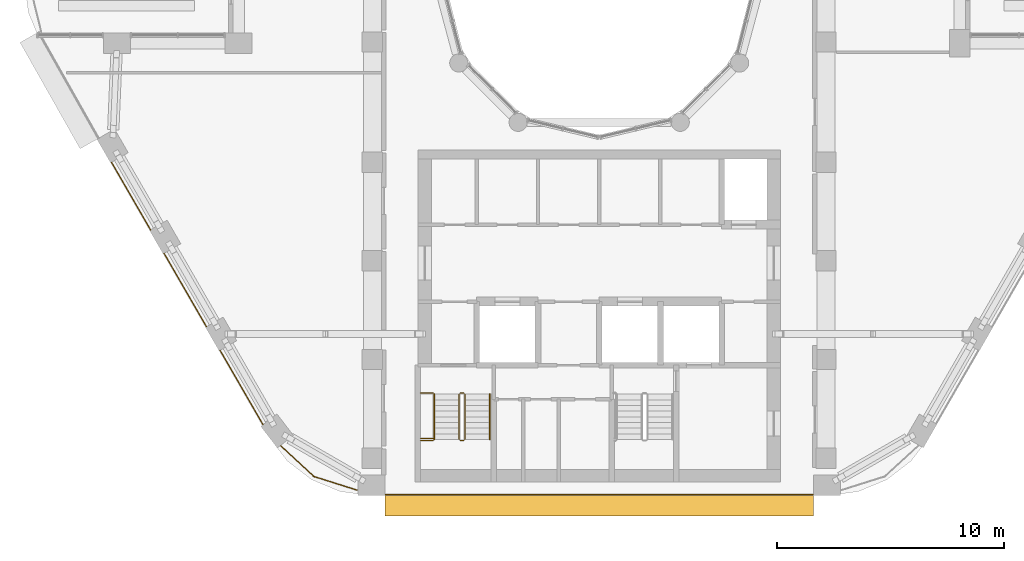
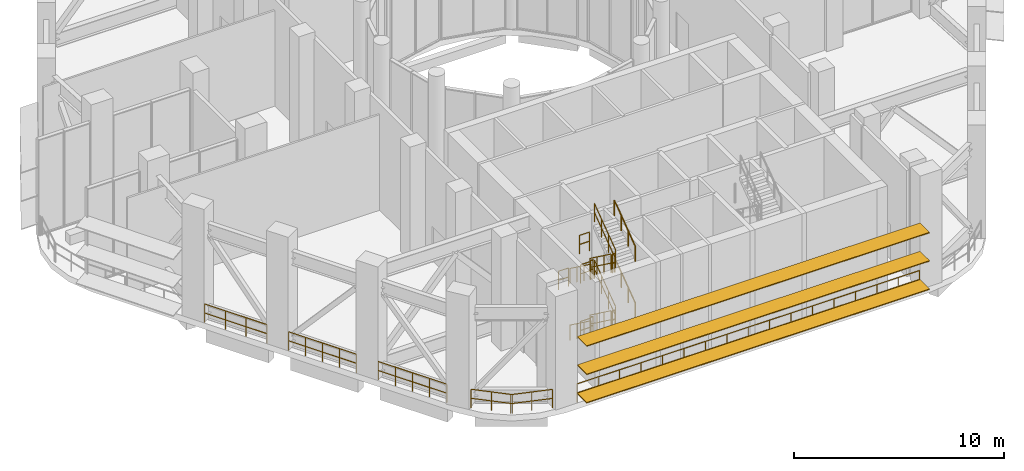
# One storey, part 15 of 19: 22 railings, 3 shading devices.
"""IFC4 building model written with IfcOpenShell, lengths in metres."""

import ifcopenshell
import ifcopenshell.guid

model = None  # the IFC model being written
_history = None  # IfcOwnerHistory: only IFC2X3 demands one
_inside = {}  # id of a spatial element -> (the spatial element, [elements in it])
_under = {}  # id of a project, library or spatial element -> (it, [spatial elements below it])
_declared = {}  # id of a project -> (the project, [libraries it declares])
_typed = {}  # id of a type object -> (the type object, [elements of that type])
_made_of = {}  # id of a material, layer set ... -> (it, [elements and type objects made of it])


def new_model(schema):
    """Start an empty IFC model of exactly this schema.

    Asked for "IFC4X3", IfcOpenShell would pick the latest addendum, in which some entities
    have other attributes; the version numbers below select the first issue.
    IFC2X3 requires an IfcOwnerHistory on every rooted entity: one is made here for all.
    """
    global model, _history
    if schema == "IFC4X3":
        model = ifcopenshell.file(schema_version=(4, 3, 0, 0))
    else:
        model = ifcopenshell.file(schema=schema)
    _inside.clear()
    _under.clear()
    _declared.clear()
    _typed.clear()
    _made_of.clear()
    _history = None
    if model.schema == "IFC2X3":
        org = make("IfcOrganization", Name="unknown")
        user = make(
            "IfcPersonAndOrganization",
            ThePerson=make("IfcPerson", FamilyName="unknown"),
            TheOrganization=org,
        )
        app = make(
            "IfcApplication",
            ApplicationDeveloper=org,
            Version="unknown",
            ApplicationFullName="unknown",
            ApplicationIdentifier="unknown",
        )
        _history = make(
            "IfcOwnerHistory",
            OwningUser=user,
            OwningApplication=app,
            ChangeAction="ADDED",
            CreationDate=0,
        )
    return model


def make(cls, **values):
    """One entity of the class cls with the attributes given. An attribute that is None is left unset."""
    return model.create_entity(
        cls, **{name: value for name, value in values.items() if value is not None}
    )


def rooted(cls, **values):
    """An entity with a GlobalId (a new one), such as an element, a storey or a relation."""
    return make(cls, GlobalId=ifcopenshell.guid.new(), OwnerHistory=_history, **values)


def si_unit(unit_type, name, prefix=None):
    """IfcSIUnit, for example si_unit("LENGTHUNIT", "METRE", prefix="MILLI")."""
    return make("IfcSIUnit", UnitType=unit_type, Prefix=prefix, Name=name)


def assignment(units):
    """IfcUnitAssignment: the units of a project."""
    return None if units is None else make("IfcUnitAssignment", Units=units)


def point(xyz):
    """IfcCartesianPoint."""
    return None if xyz is None else make("IfcCartesianPoint", Coordinates=xyz)


def direction(xyz):
    """IfcDirection."""
    return None if xyz is None else make("IfcDirection", DirectionRatios=xyz)


def frame(location, z_axis=None, x_axis=None):
    """IfcAxis2Placement3D, a coordinate frame: its origin and axes. An axis left out is left unset."""
    return make(
        "IfcAxis2Placement3D",
        Location=point(location),
        Axis=direction(z_axis),
        RefDirection=direction(x_axis),
    )


def frame_2d(location, x_axis=None):
    """IfcAxis2Placement2D, a coordinate frame in the plane: its origin and x axis."""
    return make(
        "IfcAxis2Placement2D", Location=point(location), RefDirection=direction(x_axis)
    )


def origin():
    """The frame at (0, 0, 0) with its axes left unset."""
    return frame((0.0, 0.0, 0.0))


def origin_2d():
    """The frame at (0, 0) in the plane with its x axis left unset."""
    return frame_2d((0.0, 0.0))


def place(relative_to, where):
    """IfcLocalPlacement: puts the frame where relative to a parent placement (None: the world)."""
    return make(
        "IfcLocalPlacement", PlacementRelTo=relative_to, RelativePlacement=where
    )


def context(
    kind, dimensions, precision=None, world=None, true_north=None, identifier=None
):
    """IfcGeometricRepresentationContext, for example the 3D "Model" context."""
    return make(
        "IfcGeometricRepresentationContext",
        ContextIdentifier=identifier,
        ContextType=kind,
        CoordinateSpaceDimension=dimensions,
        Precision=precision,
        WorldCoordinateSystem=world,
        TrueNorth=true_north,
    )


def subcontext(parent, identifier, kind, view, scale=None):
    """IfcGeometricRepresentationSubContext, for example "Body" below "Model"."""
    return make(
        "IfcGeometricRepresentationSubContext",
        ContextIdentifier=identifier,
        ContextType=kind,
        ParentContext=parent,
        TargetScale=scale,
        TargetView=view,
    )


def project(units=None, contexts=None):
    """IfcProject with its units and contexts."""
    return rooted(
        "IfcProject",
        Name="project",
        RepresentationContexts=contexts,
        UnitsInContext=assignment(units),
    )


def spatial(cls, under=None, at=None, **own):
    """A site, building, storey or space (cls), placed at a placement, below another one or the project."""
    s = rooted(cls, ObjectPlacement=at, **own)
    if under is not None:
        _under.setdefault(under.id(), (under, []))[1].append(s)
    return s


def profile(cls, at=None, kind="AREA", **sizes):
    """A parametric profile (cls). Its sizes go by their IFC names, for example OverallWidth=200.0."""
    return make(cls, ProfileType=kind, Position=at, **sizes)


def rectangle(**sizes):
    """IfcRectangleProfileDef."""
    return profile("IfcRectangleProfileDef", **sizes)


def circle(**sizes):
    """IfcCircleProfileDef."""
    return profile("IfcCircleProfileDef", **sizes)


def extrude(swept, where, along, depth):
    """IfcExtrudedAreaSolid: the profile swept, set in the frame where, extruded along a direction by depth."""
    return make(
        "IfcExtrudedAreaSolid",
        SweptArea=swept,
        Position=where,
        ExtrudedDirection=direction(along),
        Depth=depth,
    )


def shape(context_of_items, identifier, shape_type, items):
    """IfcShapeRepresentation: the items that make up one representation, for example the "Body"."""
    return make(
        "IfcShapeRepresentation",
        ContextOfItems=context_of_items,
        RepresentationIdentifier=identifier,
        RepresentationType=shape_type,
        Items=items,
    )


def material(Name=None, Category=None):
    """IfcMaterial."""
    return make("IfcMaterial", Name=Name, Category=Category)


def material_profile(
    of_material, cross_section, Name=None, Category=None, Priority=None
):
    """IfcMaterialProfile: a cross section and its material."""
    return make(
        "IfcMaterialProfile",
        Name=Name,
        Material=of_material,
        Profile=cross_section,
        Priority=Priority,
        Category=Category,
    )


def profile_set(profiles, Name=None, composite=None):
    """IfcMaterialProfileSet."""
    return make(
        "IfcMaterialProfileSet",
        Name=Name,
        MaterialProfiles=profiles,
        CompositeProfile=composite,
    )


def made_of(thing, what):
    """Note that an element or type object is made of a material, layer set ...; save() writes the relation."""
    if what is not None:
        _made_of.setdefault(what.id(), (what, []))[1].append(thing)
    return thing


def type_object(cls, material=None, **own):
    """A type object (cls), such as IfcWallType, which elements share."""
    return made_of(rooted(cls, **own), material)


def element(
    cls,
    number,
    at=None,
    inside=None,
    cuts=None,
    type_object=None,
    material=None,
    context=None,
    identifier="Body",
    shape_type=None,
    held_by="IfcProductDefinitionShape",
    body=None,
    shapes=None,
    **own,
):
    """One element of the class cls, such as IfcWall. Its Tag is "e" and its number.

    at: its placement. inside: the storey or other place that contains it. cuts: it is an
    opening in that element (IfcRelVoidsElement). A single representation is given by context,
    identifier, shape_type and body (its items); several are given by shapes. held_by: the class
    of the entity that holds the representations. save() writes the other relations.
    """
    e = rooted(cls, Tag="e%d" % number, ObjectPlacement=at, **own)
    if body is not None:
        shapes = [shape(context, identifier, shape_type, body)]
    if shapes is not None:
        e.Representation = make(held_by, Representations=shapes)
    if inside is not None:
        _inside.setdefault(inside.id(), (inside, []))[1].append(e)
    if cuts is not None:
        rooted(
            "IfcRelVoidsElement", RelatingBuildingElement=cuts, RelatedOpeningElement=e
        )
    if type_object is not None:
        _typed.setdefault(type_object.id(), (type_object, []))[1].append(e)
    return made_of(e, material)


def aggregate(whole, parts):
    """IfcRelAggregates: a whole, such as a stair, and the parts it consists of."""
    return rooted("IfcRelAggregates", RelatingObject=whole, RelatedObjects=parts)


def save(model, path):
    """Write the relations noted so far, then the file.

    IfcRelAggregates (storeys below a building ...), IfcRelContainedInSpatialStructure (elements
    in a storey), IfcRelDefinesByType, IfcRelAssociatesMaterial and IfcRelDeclares: one each for
    every whole, place, type object, material and project.
    """
    for whole, parts in _under.values():
        aggregate(whole, parts)
    for where, things in _inside.values():
        rooted(
            "IfcRelContainedInSpatialStructure",
            RelatedElements=things,
            RelatingStructure=where,
        )
    for kind, things in _typed.values():
        rooted("IfcRelDefinesByType", RelatedObjects=things, RelatingType=kind)
    for what, things in _made_of.values():
        rooted("IfcRelAssociatesMaterial", RelatedObjects=things, RelatingMaterial=what)
    for by, libraries in _declared.values():
        rooted("IfcRelDeclares", RelatingContext=by, RelatedDefinitions=libraries)
    model.write(path)


model = new_model("IFC4")

# Units and contexts
model_context = context("Model", 3, precision=1e-05, world=origin(), true_north=direction((0.0, 1.0)))
body_context = subcontext(model_context, "Body", "Model", "MODEL_VIEW")
ifc_project = project(units=[si_unit("LENGTHUNIT", "METRE"), si_unit("AREAUNIT", "SQUARE_METRE"), si_unit("VOLUMEUNIT", "CUBIC_METRE"), si_unit("PLANEANGLEUNIT", "RADIAN"), si_unit("MASSUNIT", "GRAM", prefix="KILO")], contexts=[model_context])

# Site, building, storey
site_placement = place(None, origin())
site = spatial("IfcSite", under=ifc_project, at=site_placement, CompositionType="ELEMENT")
building_placement = place(site_placement, origin())
building = spatial("IfcBuilding", under=site, at=building_placement, Name="Nakaniwa Court", CompositionType="ELEMENT")
storey_placement = place(building_placement, frame((0.0, 0.0, 219.60009765625)))
storey = spatial("IfcBuildingStorey", under=building, at=storey_placement, Name="S4", CompositionType="ELEMENT", Elevation=219.60009765625)

# Railings
ifc_material_1 = material(Name="Black powder-coated steel flat bar balustrade S275", Category="steel")
railing_type_1 = type_object("IfcRailingType", Name="Black metal terrace guard 1100", PredefinedType="GUARDRAIL", material=ifc_material_1)
railing_1_placement = place(storey_placement, frame((58.49267578125, 72.0517578125, 0.0)))
element("IfcRailing", 1, at=railing_1_placement, inside=storey, type_object=railing_type_1, Name="S4 refuge band guard 21", PredefinedType="GUARDRAIL", context=body_context, shape_type="SweptSolid", body=[
    extrude(circle(Radius=0.02392578125, at=origin_2d()), frame((0.0, 0.0, 1.076171875), z_axis=(0.500008546953, -0.866020469142, 0.0), x_axis=(0.866020469142, 0.500008546953, 0.0)), (0.0, 0.0, 1.0), 3.447265625),
    extrude(circle(Radius=0.02392578125, at=origin_2d()), frame((0.0, 0.0, 0.550048828125), z_axis=(0.500008546953, -0.866020469142, 0.0), x_axis=(0.866020469142, 0.500008546953, 0.0)), (0.0, 0.0, 1.0), 3.447265625),
    extrude(circle(Radius=0.02099609375, at=origin_2d()), origin(), (0.0, 0.0, 1.0), 1.052001953125),
    extrude(circle(Radius=0.02099609375, at=origin_2d()), frame((0.574462890625, -0.9951171875, 0.0)), (0.0, 0.0, 1.0), 1.052001953125),
    extrude(circle(Radius=0.02099609375, at=origin_2d()), frame((1.149169921875, -1.990234375, 0.0)), (0.0, 0.0, 1.0), 1.052001953125),
    extrude(circle(Radius=0.02099609375, at=origin_2d()), frame((1.7236328125, -2.9853515625, 0.0)), (0.0, 0.0, 1.0), 1.052001953125),
])
railing_2_placement = place(storey_placement, frame((60.812255859375, 68.0341796875, 0.0)))
element("IfcRailing", 2, at=railing_2_placement, inside=storey, type_object=railing_type_1, Name="S4 refuge band guard 22", PredefinedType="GUARDRAIL", context=body_context, shape_type="SweptSolid", body=[
    extrude(circle(Radius=0.02392578125, at=origin_2d()), frame((0.0, 0.0, 1.076171875), z_axis=(0.499982088007, -0.866035745032, 0.0), x_axis=(0.866035745032, 0.499982088007, 0.0)), (0.0, 0.0, 1.0), 3.744384765625),
    extrude(circle(Radius=0.02392578125, at=origin_2d()), frame((0.0, 0.0, 0.550048828125), z_axis=(0.499982088007, -0.866035745032, 0.0), x_axis=(0.866035745032, 0.499982088007, 0.0)), (0.0, 0.0, 1.0), 3.744384765625),
    extrude(circle(Radius=0.02099609375, at=origin_2d()), origin(), (0.0, 0.0, 1.0), 1.052001953125),
    extrude(circle(Radius=0.02099609375, at=origin_2d()), frame((0.468017578125, -0.810546875, 0.0)), (0.0, 0.0, 1.0), 1.052001953125),
    extrude(circle(Radius=0.02099609375, at=origin_2d()), frame((0.93603515625, -1.621337890625, 0.0)), (0.0, 0.0, 1.0), 1.052001953125),
    extrude(circle(Radius=0.02099609375, at=origin_2d()), frame((1.404052734375, -2.43212890625, 0.0)), (0.0, 0.0, 1.0), 1.052001953125),
    extrude(circle(Radius=0.02099609375, at=origin_2d()), frame((1.8720703125, -3.24267578125, 0.0)), (0.0, 0.0, 1.0), 1.052001953125),
])
railing_3_placement = place(storey_placement, frame((63.280517578125, 63.75927734375, 0.0)))
element("IfcRailing", 3, at=railing_3_placement, inside=storey, type_object=railing_type_1, Name="S4 refuge band guard 23", PredefinedType="GUARDRAIL", context=body_context, shape_type="SweptSolid", body=[
    extrude(circle(Radius=0.02392578125, at=origin_2d()), frame((0.0, 0.0, 1.076171875), z_axis=(0.499961087031, -0.866047869032, 0.0), x_axis=(0.866047869032, 0.499961087031, 0.0)), (0.0, 0.0, 1.0), 3.778564453125),
    extrude(circle(Radius=0.02392578125, at=origin_2d()), frame((0.0, 0.0, 0.550048828125), z_axis=(0.499961087031, -0.866047869032, 0.0), x_axis=(0.866047869032, 0.499961087031, 0.0)), (0.0, 0.0, 1.0), 3.778564453125),
    extrude(circle(Radius=0.02099609375, at=origin_2d()), origin(), (0.0, 0.0, 1.0), 1.052001953125),
    extrude(circle(Radius=0.02099609375, at=origin_2d()), frame((0.47216796875, -0.818115234375, 0.0)), (0.0, 0.0, 1.0), 1.052001953125),
    extrude(circle(Radius=0.02099609375, at=origin_2d()), frame((0.944580078125, -1.63623046875, 0.0)), (0.0, 0.0, 1.0), 1.052001953125),
    extrude(circle(Radius=0.02099609375, at=origin_2d()), frame((1.4169921875, -2.454345703125, 0.0)), (0.0, 0.0, 1.0), 1.052001953125),
    extrude(circle(Radius=0.02099609375, at=origin_2d()), frame((1.88916015625, -3.2724609375, 0.0)), (0.0, 0.0, 1.0), 1.052001953125),
])
railing_4_placement = place(storey_placement, frame((65.95458984375, 59.548828125, 0.0)))
element("IfcRailing", 4, at=railing_4_placement, inside=storey, type_object=railing_type_1, Name="S4 refuge band guard 24", PredefinedType="GUARDRAIL", context=body_context, shape_type="SweptSolid", body=[
    extrude(circle(Radius=0.02392578125, at=origin_2d()), frame((0.0, 0.0, 1.076171875), z_axis=(0.734627852992, -0.678470277616, 0.0), x_axis=(0.678470277616, 0.734627852992, 0.0)), (0.0, 0.0, 1.0), 2.02587890625),
    extrude(circle(Radius=0.02392578125, at=origin_2d()), frame((0.0, 0.0, 0.550048828125), z_axis=(0.734627852992, -0.678470277616, 0.0), x_axis=(0.678470277616, 0.734627852992, 0.0)), (0.0, 0.0, 1.0), 2.02587890625),
    extrude(circle(Radius=0.02099609375, at=origin_2d()), origin(), (0.0, 0.0, 1.0), 1.052001953125),
    extrude(circle(Radius=0.02099609375, at=origin_2d()), frame((0.744140625, -0.687255859375, 0.0)), (0.0, 0.0, 1.0), 1.052001953125),
    extrude(circle(Radius=0.02099609375, at=origin_2d()), frame((1.48828125, -1.37451171875, 0.0)), (0.0, 0.0, 1.0), 1.052001953125),
])
railing_5_placement = place(storey_placement, frame((67.375732421875, 58.206298828125, 0.0)))
element("IfcRailing", 5, at=railing_5_placement, inside=storey, type_object=railing_type_1, Name="S4 refuge band guard 25", PredefinedType="GUARDRAIL", context=body_context, shape_type="SweptSolid", body=[
    extrude(circle(Radius=0.02392578125, at=origin_2d()), frame((0.0, 0.0, 1.076171875), z_axis=(0.953537608367, -0.301274010545, 0.0), x_axis=(0.301274010545, 0.953537608367, 0.0)), (0.0, 0.0, 1.0), 2.0478515625),
    extrude(circle(Radius=0.02392578125, at=origin_2d()), frame((0.0, 0.0, 0.550048828125), z_axis=(0.953537608367, -0.301274010545, 0.0), x_axis=(0.301274010545, 0.953537608367, 0.0)), (0.0, 0.0, 1.0), 2.0478515625),
    extrude(circle(Radius=0.02099609375, at=origin_2d()), origin(), (0.0, 0.0, 1.0), 1.052001953125),
    extrude(circle(Radius=0.02099609375, at=origin_2d()), frame((0.976318359375, -0.30859375, 0.0)), (0.0, 0.0, 1.0), 1.052001953125),
    extrude(circle(Radius=0.02099609375, at=origin_2d()), frame((1.95263671875, -0.616943359375, 0.0)), (0.0, 0.0, 1.0), 1.052001953125),
])
railing_6_placement = place(storey_placement, frame((70.55078125, 57.39990234375, 0.0)))
element("IfcRailing", 6, at=railing_6_placement, inside=storey, type_object=railing_type_1, Name="S4 refuge band guard 26", PredefinedType="GUARDRAIL", context=body_context, shape_type="SweptSolid", body=[
    extrude(circle(Radius=0.02392578125, at=origin_2d()), frame((0.0, 0.0, 1.076171875), z_axis=(1.0, 0.0, 0.0), x_axis=(0.0, 1.0, 0.0)), (0.0, 0.0, 1.0), 18.892822265625),
    extrude(circle(Radius=0.02392578125, at=origin_2d()), frame((0.0, 0.0, 0.550048828125), z_axis=(1.0, 0.0, 0.0), x_axis=(0.0, 1.0, 0.0)), (0.0, 0.0, 1.0), 18.892822265625),
    extrude(circle(Radius=0.02099609375, at=origin_2d()), origin(), (0.0, 0.0, 1.0), 1.052001953125),
    extrude(circle(Radius=0.02099609375, at=origin_2d()), frame((1.180908203125, 0.0, 0.0)), (0.0, 0.0, 1.0), 1.052001953125),
    extrude(circle(Radius=0.02099609375, at=origin_2d()), frame((2.361572265625, 0.0, 0.0)), (0.0, 0.0, 1.0), 1.052001953125),
    extrude(circle(Radius=0.02099609375, at=origin_2d()), frame((3.54248046875, 0.0, 0.0)), (0.0, 0.0, 1.0), 1.052001953125),
    extrude(circle(Radius=0.02099609375, at=origin_2d()), frame((4.72314453125, 0.0, 0.0)), (0.0, 0.0, 1.0), 1.052001953125),
    extrude(circle(Radius=0.02099609375, at=origin_2d()), frame((5.904052734375, 0.0, 0.0)), (0.0, 0.0, 1.0), 1.052001953125),
    extrude(circle(Radius=0.02099609375, at=origin_2d()), frame((7.084716796875, 0.0, 0.0)), (0.0, 0.0, 1.0), 1.052001953125),
    extrude(circle(Radius=0.02099609375, at=origin_2d()), frame((8.265625, 0.0, 0.0)), (0.0, 0.0, 1.0), 1.052001953125),
    extrude(circle(Radius=0.02099609375, at=origin_2d()), frame((9.4462890625, 0.0, 0.0)), (0.0, 0.0, 1.0), 1.052001953125),
    extrude(circle(Radius=0.02099609375, at=origin_2d()), frame((10.627197265625, 0.0, 0.0)), (0.0, 0.0, 1.0), 1.052001953125),
    extrude(circle(Radius=0.02099609375, at=origin_2d()), frame((11.80810546875, 0.0, 0.0)), (0.0, 0.0, 1.0), 1.052001953125),
    extrude(circle(Radius=0.02099609375, at=origin_2d()), frame((12.98876953125, 0.0, 0.0)), (0.0, 0.0, 1.0), 1.052001953125),
    extrude(circle(Radius=0.02099609375, at=origin_2d()), frame((14.169677734375, 0.0, 0.0)), (0.0, 0.0, 1.0), 1.052001953125),
    extrude(circle(Radius=0.02099609375, at=origin_2d()), frame((15.350341796875, 0.0, 0.0)), (0.0, 0.0, 1.0), 1.052001953125),
    extrude(circle(Radius=0.02099609375, at=origin_2d()), frame((16.53125, 0.0, 0.0)), (0.0, 0.0, 1.0), 1.052001953125),
    extrude(circle(Radius=0.02099609375, at=origin_2d()), frame((17.7119140625, 0.0, 0.0)), (0.0, 0.0, 1.0), 1.052001953125),
    extrude(circle(Radius=0.02099609375, at=origin_2d()), frame((18.892822265625, 0.0, 0.0)), (0.0, 0.0, 1.0), 1.052001953125),
])

# Shading devices
ifc_material_2 = material(Name="Perforated charcoal ceramic louvre blade")
ifc_material_profile = material_profile(ifc_material_2, rectangle(XDim=0.89990234375, YDim=0.050048828125, at=origin_2d()), Name="Perforated ceramic louvre blade")
ifc_profile_set = profile_set([ifc_material_profile], Name="Perforated charcoal ceramic louvre blade")
shading_device_type = type_object("IfcShadingDeviceType", Name="Perforated ceramic louvre blade", PredefinedType="JALOUSIE", material=ifc_profile_set)
for number, where, z_axis, x_axis, name in (
    (7, (70.55078125, 56.89990234375, 0.5498046875), (1.0, 0.0, 0.0), (0.0, 1.0, 0.0), "S4 perforated ceramic louvre blade s26 1"),
    (8, (70.55078125, 56.89990234375, 2.199951171875), (1.0, 0.0, 0.0), (0.0, 1.0, 0.0), "S4 perforated ceramic louvre blade s26 2"),
    (9, (70.55078125, 56.89990234375, 3.849853515625), (1.0, 0.0, 0.0), (0.0, 1.0, 0.0), "S4 perforated ceramic louvre blade s26 3"),
):
    element("IfcShadingDevice", number, at=place(storey_placement, frame(where, z_axis=z_axis, x_axis=x_axis)), inside=storey, type_object=shading_device_type, Name=name, PredefinedType="JALOUSIE", context=body_context, shape_type="SweptSolid", body=[
        extrude(rectangle(XDim=0.89990234375, YDim=0.050048828125, at=origin_2d()), origin(), (0.0, 0.0, 1.0), 18.892822265625),
    ])

# Railings
ifc_material_3 = material(Name="Black powder coated steel guard", Category="steel")
railing_type_2 = type_object("IfcRailingType", Name="Stair guard 1100", PredefinedType="GUARDRAIL", material=ifc_material_3)
railing_7_placement = place(storey_placement, frame((73.824951171875, 61.824951171875, 0.183349609375)))
element("IfcRailing", 10, at=railing_7_placement, inside=storey, type_object=railing_type_2, Name="S4 ST3 stair guard 1", PredefinedType="GUARDRAIL", context=body_context, shape_type="SweptSolid", body=[
    extrude(circle(Radius=0.02392578125, at=origin_2d()), frame((0.0, 0.0, 1.076171875), z_axis=(0.0, -0.806426902644, 0.591333789573), x_axis=(1.0, 0.0, 0.0)), (0.0, 0.0, 1.0), 2.47998046875),
    extrude(circle(Radius=0.02392578125, at=origin_2d()), frame((0.0, 0.0, 0.550048828125), z_axis=(0.0, -0.806426902644, 0.591333789573), x_axis=(1.0, 0.0, 0.0)), (0.0, 0.0, 1.0), 2.47998046875),
    extrude(circle(Radius=0.02099609375, at=origin_2d()), origin(), (0.0, 0.0, 1.0), 1.052001953125),
    extrude(circle(Radius=0.02099609375, at=origin_2d()), frame((0.0, -0.666748046875, 0.48876953125)), (0.0, 0.0, 1.0), 1.052001953125),
    extrude(circle(Radius=0.02099609375, at=origin_2d()), frame((0.0, -1.333251953125, 0.977783203125)), (0.0, 0.0, 1.0), 1.052001953125),
    extrude(circle(Radius=0.02099609375, at=origin_2d()), frame((0.0, -2.0, 1.466552734375)), (0.0, 0.0, 1.0), 1.052001953125),
])
railing_8_placement = place(storey_placement, frame((73.875, 59.77490234375, 1.64990234375)))
element("IfcRailing", 11, at=railing_8_placement, inside=storey, type_object=railing_type_2, Name="S4 ST3 stair guard 2", PredefinedType="GUARDRAIL", context=body_context, shape_type="SweptSolid", body=[
    extrude(circle(Radius=0.02392578125, at=origin_2d()), frame((0.0, 0.0, 1.076171875), z_axis=(1.0, 0.0, 0.0), x_axis=(0.0, 1.0, 0.0)), (0.0, 0.0, 1.0), 0.14990234375),
    extrude(circle(Radius=0.02392578125, at=origin_2d()), frame((0.0, 0.0, 0.550048828125), z_axis=(1.0, 0.0, 0.0), x_axis=(0.0, 1.0, 0.0)), (0.0, 0.0, 1.0), 0.14990234375),
    extrude(circle(Radius=0.02099609375, at=origin_2d()), origin(), (0.0, 0.0, 1.0), 1.052001953125),
    extrude(circle(Radius=0.02099609375, at=origin_2d()), frame((0.14990234375, 0.0, 0.0)), (0.0, 0.0, 1.0), 1.052001953125),
])
railing_9_placement = place(storey_placement, frame((74.074951171875, 59.824951171875, 1.833251953125)))
element("IfcRailing", 12, at=railing_9_placement, inside=storey, type_object=railing_type_2, Name="S4 ST3 stair guard 3", PredefinedType="GUARDRAIL", context=body_context, shape_type="SweptSolid", body=[
    extrude(circle(Radius=0.02392578125, at=origin_2d()), frame((0.0, 0.0, 1.076171875), z_axis=(0.0, 0.806426902644, 0.591333789573), x_axis=(-1.0, 0.0, 0.0)), (0.0, 0.0, 1.0), 2.47998046875),
    extrude(circle(Radius=0.02392578125, at=origin_2d()), frame((0.0, 0.0, 0.550048828125), z_axis=(0.0, 0.806426902644, 0.591333789573), x_axis=(-1.0, 0.0, 0.0)), (0.0, 0.0, 1.0), 2.47998046875),
    extrude(circle(Radius=0.02099609375, at=origin_2d()), origin(), (0.0, 0.0, 1.0), 1.052001953125),
    extrude(circle(Radius=0.02099609375, at=origin_2d()), frame((0.0, 0.666748046875, 0.48876953125)), (0.0, 0.0, 1.0), 1.052001953125),
    extrude(circle(Radius=0.02099609375, at=origin_2d()), frame((0.0, 1.333251953125, 0.977783203125)), (0.0, 0.0, 1.0), 1.052001953125),
    extrude(circle(Radius=0.02099609375, at=origin_2d()), frame((0.0, 2.0, 1.466552734375)), (0.0, 0.0, 1.0), 1.052001953125),
])
railing_10_placement = place(storey_placement, frame((73.875, 61.875, 3.2998046875)))
element("IfcRailing", 13, at=railing_10_placement, inside=storey, type_object=railing_type_2, Name="S4 ST3 stair guard 4", PredefinedType="GUARDRAIL", context=body_context, shape_type="SweptSolid", body=[
    extrude(circle(Radius=0.02392578125, at=origin_2d()), frame((0.0, 0.0, 1.076171875), z_axis=(1.0, 0.0, 0.0), x_axis=(0.0, 1.0, 0.0)), (0.0, 0.0, 1.0), 0.14990234375),
    extrude(circle(Radius=0.02392578125, at=origin_2d()), frame((0.0, 0.0, 0.550048828125), z_axis=(1.0, 0.0, 0.0), x_axis=(0.0, 1.0, 0.0)), (0.0, 0.0, 1.0), 0.14990234375),
    extrude(circle(Radius=0.02099609375, at=origin_2d()), origin(), (0.0, 0.0, 1.0), 1.052001953125),
    extrude(circle(Radius=0.02099609375, at=origin_2d()), frame((0.14990234375, 0.0, 0.0)), (0.0, 0.0, 1.0), 1.052001953125),
])
railing_11_placement = place(storey_placement, frame((73.824951171875, 61.824951171875, 3.483154296875)))
element("IfcRailing", 14, at=railing_11_placement, inside=storey, type_object=railing_type_2, Name="S4 ST3 stair guard 5", PredefinedType="GUARDRAIL", context=body_context, shape_type="SweptSolid", body=[
    extrude(circle(Radius=0.02392578125, at=origin_2d()), frame((0.0, 0.0, 1.076171875), z_axis=(0.0, -0.806379959628, 0.591397802423), x_axis=(1.0, 0.0, 0.0)), (0.0, 0.0, 1.0), 2.480224609375),
    extrude(circle(Radius=0.02392578125, at=origin_2d()), frame((0.0, 0.0, 0.550048828125), z_axis=(0.0, -0.806379959628, 0.591397802423), x_axis=(1.0, 0.0, 0.0)), (0.0, 0.0, 1.0), 2.480224609375),
    extrude(circle(Radius=0.02099609375, at=origin_2d()), origin(), (0.0, 0.0, 1.0), 1.052001953125),
    extrude(circle(Radius=0.02099609375, at=origin_2d()), frame((0.0, -0.666748046875, 0.489013671875)), (0.0, 0.0, 1.0), 1.052001953125),
    extrude(circle(Radius=0.02099609375, at=origin_2d()), frame((0.0, -1.333251953125, 0.977783203125)), (0.0, 0.0, 1.0), 1.052001953125),
    extrude(circle(Radius=0.02099609375, at=origin_2d()), frame((0.0, -2.0, 1.466796875)), (0.0, 0.0, 1.0), 1.052001953125),
])
railing_12_placement = place(storey_placement, frame((73.875, 59.77490234375, 4.949951171875)))
element("IfcRailing", 15, at=railing_12_placement, inside=storey, type_object=railing_type_2, Name="S4 ST3 stair guard 6", PredefinedType="GUARDRAIL", context=body_context, shape_type="SweptSolid", body=[
    extrude(circle(Radius=0.02392578125, at=origin_2d()), frame((0.0, 0.0, 1.076171875), z_axis=(1.0, 0.0, 0.0), x_axis=(0.0, 1.0, 0.0)), (0.0, 0.0, 1.0), 0.14990234375),
    extrude(circle(Radius=0.02392578125, at=origin_2d()), frame((0.0, 0.0, 0.550048828125), z_axis=(1.0, 0.0, 0.0), x_axis=(0.0, 1.0, 0.0)), (0.0, 0.0, 1.0), 0.14990234375),
    extrude(circle(Radius=0.02099609375, at=origin_2d()), origin(), (0.0, 0.0, 1.0), 1.052001953125),
    extrude(circle(Radius=0.02099609375, at=origin_2d()), frame((0.14990234375, 0.0, 0.0)), (0.0, 0.0, 1.0), 1.052001953125),
])
railing_13_placement = place(storey_placement, frame((74.074951171875, 59.824951171875, 5.13330078125)))
element("IfcRailing", 16, at=railing_13_placement, inside=storey, type_object=railing_type_2, Name="S4 ST3 stair guard 7", PredefinedType="GUARDRAIL", context=body_context, shape_type="SweptSolid", body=[
    extrude(circle(Radius=0.02392578125, at=origin_2d()), frame((0.0, 0.0, 1.076171875), z_axis=(0.0, 0.806426902644, 0.591333789573), x_axis=(-1.0, 0.0, 0.0)), (0.0, 0.0, 1.0), 2.47998046875),
    extrude(circle(Radius=0.02392578125, at=origin_2d()), frame((0.0, 0.0, 0.550048828125), z_axis=(0.0, 0.806426902644, 0.591333789573), x_axis=(-1.0, 0.0, 0.0)), (0.0, 0.0, 1.0), 2.47998046875),
    extrude(circle(Radius=0.02099609375, at=origin_2d()), origin(), (0.0, 0.0, 1.0), 1.052001953125),
    extrude(circle(Radius=0.02099609375, at=origin_2d()), frame((0.0, 0.666748046875, 0.48876953125)), (0.0, 0.0, 1.0), 1.052001953125),
    extrude(circle(Radius=0.02099609375, at=origin_2d()), frame((0.0, 1.333251953125, 0.977783203125)), (0.0, 0.0, 1.0), 1.052001953125),
    extrude(circle(Radius=0.02099609375, at=origin_2d()), frame((0.0, 2.0, 1.466552734375)), (0.0, 0.0, 1.0), 1.052001953125),
])
railing_14_placement = place(storey_placement, frame((73.875, 61.875, 0.0)))
element("IfcRailing", 17, at=railing_14_placement, inside=storey, type_object=railing_type_2, Name="S4 ST3 stair guard 8", PredefinedType="GUARDRAIL", context=body_context, shape_type="SweptSolid", body=[
    extrude(circle(Radius=0.02392578125, at=origin_2d()), frame((0.0, 0.0, 1.076171875), z_axis=(1.0, 0.0, 0.0), x_axis=(0.0, 1.0, 0.0)), (0.0, 0.0, 1.0), 0.14990234375),
    extrude(circle(Radius=0.02392578125, at=origin_2d()), frame((0.0, 0.0, 0.550048828125), z_axis=(1.0, 0.0, 0.0), x_axis=(0.0, 1.0, 0.0)), (0.0, 0.0, 1.0), 0.14990234375),
    extrude(circle(Radius=0.02099609375, at=origin_2d()), origin(), (0.0, 0.0, 1.0), 1.052001953125),
    extrude(circle(Radius=0.02099609375, at=origin_2d()), frame((0.14990234375, 0.0, 0.0)), (0.0, 0.0, 1.0), 1.052001953125),
])
for number, where, name in (
    (18, (72.125, 59.77490234375, 1.64990234375), "S4 ST3 landing side guard 1W"),
    (19, (72.125, 61.875, 3.2998046875), "S4 ST3 landing side guard 2W"),
    (20, (72.125, 59.77490234375, 4.949951171875), "S4 ST3 landing side guard 3W"),
    (21, (72.125, 59.875, 6.599853515625), "S4 ST3 floor edge guard 3W"),
):
    element("IfcRailing", number, at=place(storey_placement, frame(where)), inside=storey, type_object=railing_type_2, Name=name, PredefinedType="GUARDRAIL", context=body_context, shape_type="SweptSolid", body=[
        extrude(circle(Radius=0.02392578125, at=origin_2d()), frame((0.0, 0.0, 1.076171875), z_axis=(1.0, 0.0, 0.0), x_axis=(0.0, 1.0, 0.0)), (0.0, 0.0, 1.0), 0.550048828125),
        extrude(circle(Radius=0.02392578125, at=origin_2d()), frame((0.0, 0.0, 0.550048828125), z_axis=(1.0, 0.0, 0.0), x_axis=(0.0, 1.0, 0.0)), (0.0, 0.0, 1.0), 0.550048828125),
        extrude(circle(Radius=0.02099609375, at=origin_2d()), origin(), (0.0, 0.0, 1.0), 1.052001953125),
        extrude(circle(Radius=0.02099609375, at=origin_2d()), frame((0.550048828125, 0.0, 0.0)), (0.0, 0.0, 1.0), 1.052001953125),
    ])
ifc_material_4 = material(Name="Black powder coated steel handrail", Category="steel")
railing_type_3 = type_object("IfcRailingType", Name="Stair handrail 900", PredefinedType="HANDRAIL", material=ifc_material_4)
railing_15_placement = place(storey_placement, frame((72.72509765625, 61.824951171875, 0.183349609375)))
element("IfcRailing", 22, at=railing_15_placement, inside=storey, type_object=railing_type_3, Name="S4 ST3 stair handrail 1", PredefinedType="HANDRAIL", context=body_context, shape_type="SweptSolid", body=[
    extrude(circle(Radius=0.02392578125, at=origin_2d()), frame((0.0, 0.0, 0.8759765625), z_axis=(0.0, -0.806426902644, 0.591333789573), x_axis=(1.0, 0.0, 0.0)), (0.0, 0.0, 1.0), 2.47998046875),
    extrude(circle(Radius=0.02099609375, at=origin_2d()), origin(), (0.0, 0.0, 1.0), 0.851806640625),
    extrude(circle(Radius=0.02099609375, at=origin_2d()), frame((0.0, -0.666748046875, 0.48876953125)), (0.0, 0.0, 1.0), 0.851806640625),
    extrude(circle(Radius=0.02099609375, at=origin_2d()), frame((0.0, -1.333251953125, 0.977783203125)), (0.0, 0.0, 1.0), 0.851806640625),
    extrude(circle(Radius=0.02099609375, at=origin_2d()), frame((0.0, -2.0, 1.466552734375)), (0.0, 0.0, 1.0), 0.851806640625),
])
railing_16_placement = place(storey_placement, frame((75.175048828125, 59.824951171875, 1.833251953125)))
element("IfcRailing", 23, at=railing_16_placement, inside=storey, type_object=railing_type_3, Name="S4 ST3 stair handrail 2", PredefinedType="HANDRAIL", context=body_context, shape_type="SweptSolid", body=[
    extrude(circle(Radius=0.02392578125, at=origin_2d()), frame((0.0, 0.0, 0.8759765625), z_axis=(0.0, 0.806426902644, 0.591333789573), x_axis=(-1.0, 0.0, 0.0)), (0.0, 0.0, 1.0), 2.47998046875),
    extrude(circle(Radius=0.02099609375, at=origin_2d()), origin(), (0.0, 0.0, 1.0), 0.851806640625),
    extrude(circle(Radius=0.02099609375, at=origin_2d()), frame((0.0, 0.666748046875, 0.48876953125)), (0.0, 0.0, 1.0), 0.851806640625),
    extrude(circle(Radius=0.02099609375, at=origin_2d()), frame((0.0, 1.333251953125, 0.977783203125)), (0.0, 0.0, 1.0), 0.851806640625),
    extrude(circle(Radius=0.02099609375, at=origin_2d()), frame((0.0, 2.0, 1.466552734375)), (0.0, 0.0, 1.0), 0.851806640625),
])
railing_17_placement = place(storey_placement, frame((72.72509765625, 61.824951171875, 3.483154296875)))
element("IfcRailing", 24, at=railing_17_placement, inside=storey, type_object=railing_type_3, Name="S4 ST3 stair handrail 3", PredefinedType="HANDRAIL", context=body_context, shape_type="SweptSolid", body=[
    extrude(circle(Radius=0.02392578125, at=origin_2d()), frame((0.0, 0.0, 0.8759765625), z_axis=(0.0, -0.806379959628, 0.591397802423), x_axis=(1.0, 0.0, 0.0)), (0.0, 0.0, 1.0), 2.480224609375),
    extrude(circle(Radius=0.02099609375, at=origin_2d()), origin(), (0.0, 0.0, 1.0), 0.851806640625),
    extrude(circle(Radius=0.02099609375, at=origin_2d()), frame((0.0, -0.666748046875, 0.489013671875)), (0.0, 0.0, 1.0), 0.851806640625),
    extrude(circle(Radius=0.02099609375, at=origin_2d()), frame((0.0, -1.333251953125, 0.977783203125)), (0.0, 0.0, 1.0), 0.851806640625),
    extrude(circle(Radius=0.02099609375, at=origin_2d()), frame((0.0, -2.0, 1.466796875)), (0.0, 0.0, 1.0), 0.851806640625),
])
railing_18_placement = place(storey_placement, frame((75.175048828125, 59.824951171875, 5.13330078125)))
element("IfcRailing", 25, at=railing_18_placement, inside=storey, type_object=railing_type_3, Name="S4 ST3 stair handrail 4", PredefinedType="HANDRAIL", context=body_context, shape_type="SweptSolid", body=[
    extrude(circle(Radius=0.02392578125, at=origin_2d()), frame((0.0, 0.0, 0.8759765625), z_axis=(0.0, 0.806426902644, 0.591333789573), x_axis=(-1.0, 0.0, 0.0)), (0.0, 0.0, 1.0), 2.47998046875),
    extrude(circle(Radius=0.02099609375, at=origin_2d()), origin(), (0.0, 0.0, 1.0), 0.851806640625),
    extrude(circle(Radius=0.02099609375, at=origin_2d()), frame((0.0, 0.666748046875, 0.48876953125)), (0.0, 0.0, 1.0), 0.851806640625),
    extrude(circle(Radius=0.02099609375, at=origin_2d()), frame((0.0, 1.333251953125, 0.977783203125)), (0.0, 0.0, 1.0), 0.851806640625),
    extrude(circle(Radius=0.02099609375, at=origin_2d()), frame((0.0, 2.0, 1.466552734375)), (0.0, 0.0, 1.0), 0.851806640625),
])

save(model, "model.ifc")
